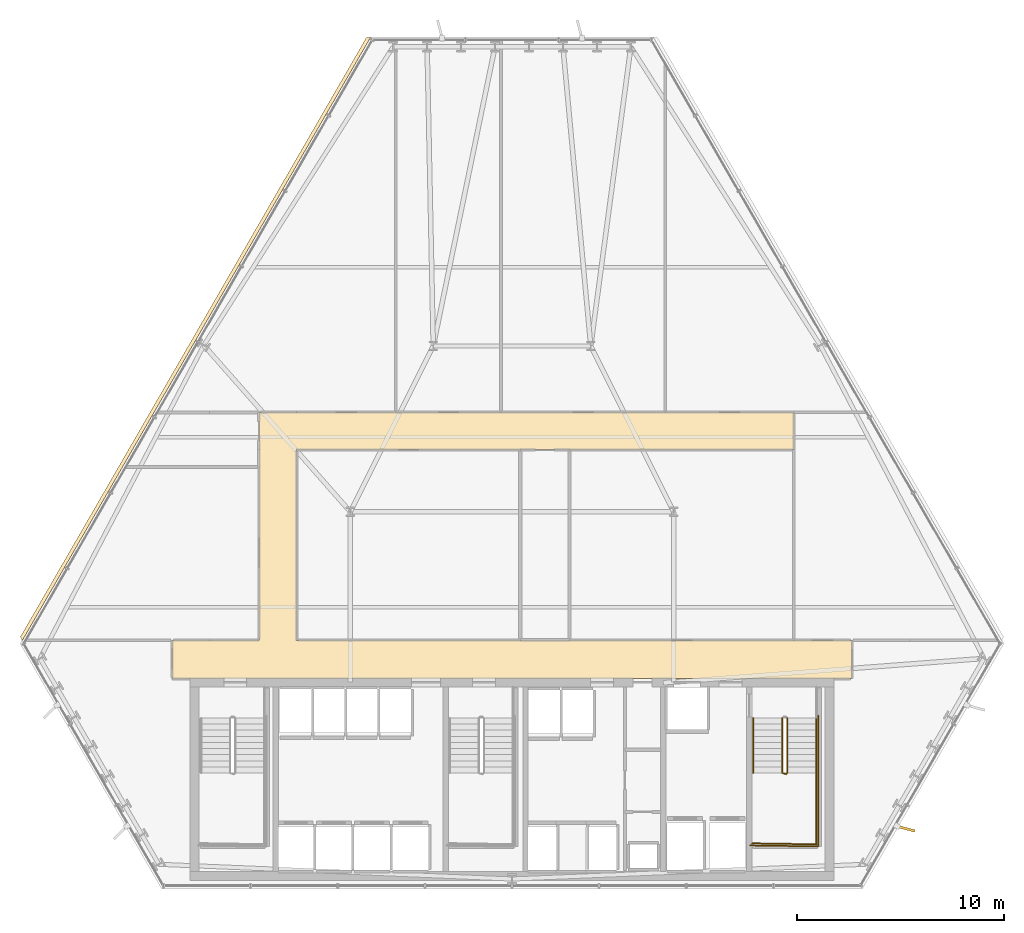
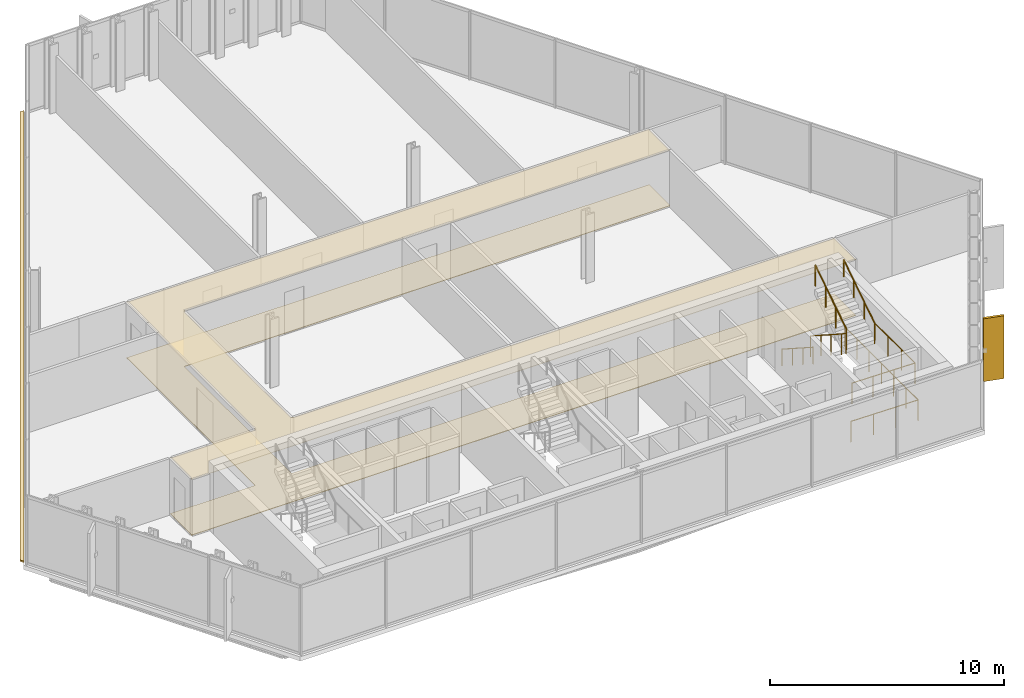
# One storey, part 29 of 31: 6 railings, 3 coverings, 1 shading device.
"""IFC4 building model written with IfcOpenShell, lengths in metres."""

from ifc_helpers import new_model, si_unit, direction, frame, origin, origin_2d, place, context, subcontext, project, spatial, polyline, rectangle, circle, outline, extrude, material, layer, layer_set, type_object, element, save


model = new_model("IFC4")

# Units and contexts
model_context = context("Model", 3, precision=1e-05, world=origin(), true_north=direction((0.0, 1.0)))
body_context = subcontext(model_context, "Body", "Model", "MODEL_VIEW")
ifc_project = project(units=[si_unit("LENGTHUNIT", "METRE"), si_unit("AREAUNIT", "SQUARE_METRE"), si_unit("VOLUMEUNIT", "CUBIC_METRE"), si_unit("PLANEANGLEUNIT", "RADIAN"), si_unit("MASSUNIT", "GRAM", prefix="KILO")], contexts=[model_context])

# Site, building, storey
site_placement = place(None, origin())
site = spatial("IfcSite", under=ifc_project, at=site_placement, CompositionType="ELEMENT")
building_placement = place(site_placement, origin())
building = spatial("IfcBuilding", under=site, at=building_placement, Name="Ndaravel Arena Tower", CompositionType="ELEMENT")
storey_placement = place(building_placement, frame((0.0, 0.0, 100.60009765625)))
storey = spatial("IfcBuildingStorey", under=building, at=storey_placement, Name="L23", CompositionType="ELEMENT", Elevation=100.60009765625)

# Coverings
ifc_material_1 = material(Name="Acoustic Ceiling Tile", Category="finish")
ifc_layer_1 = layer(ifc_material_1, 0.02490234375)
ifc_layer_set_1 = layer_set([ifc_layer_1], Name="Acoustic Ceiling Tile")
covering_type_1 = type_object("IfcCoveringType", Name="COV-CEIL-AC600", PredefinedType="CEILING", material=ifc_layer_set_1)
covering_1_placement = place(storey_placement, frame((0.0, 0.0, 2.919921875)))
element("IfcCovering", 1, at=covering_1_placement, inside=storey, type_object=covering_type_1, Name="L23 Corridor Acoustic Ceiling", PredefinedType="CEILING", context=body_context, shape_type="SweptSolid", body=[
    extrude(outline(polyline([(58.39990234375, 17.0), (31.60009765625, 17.0), (31.60009765625, 26.199951171875), (55.60009765625, 26.199951171875), (55.60009765625, 28.0), (31.60009765625, 28.0), (29.800048828125, 28.0), (29.800048828125, 26.199951171875), (29.800048828125, 17.0), (25.60009765625, 17.0), (25.60009765625, 15.14990234375), (58.39990234375, 15.14990234375), (58.39990234375, 17.0)])), origin(), (0.0, 0.0, 1.0), 0.02490234375),
])
ifc_material_2 = material(Name="Terrazzo", Category="stone")
ifc_layer_2 = layer(ifc_material_2, 0.030029296875)
ifc_layer_set_2 = layer_set([ifc_layer_2], Name="Terrazzo")
covering_type_2 = type_object("IfcCoveringType", Name="COV-FLOOR-TERRAZZO", PredefinedType="FLOORING", material=ifc_layer_set_2)
covering_2_placement = place(storey_placement, origin())
element("IfcCovering", 2, at=covering_2_placement, inside=storey, type_object=covering_type_2, Name="L23 Corridor Terrazzo Flooring", PredefinedType="FLOORING", context=body_context, shape_type="SweptSolid", body=[
    extrude(outline(polyline([(58.39990234375, 17.0), (31.60009765625, 17.0), (31.60009765625, 26.199951171875), (55.60009765625, 26.199951171875), (55.60009765625, 28.0), (31.60009765625, 28.0), (29.800048828125, 28.0), (29.800048828125, 26.199951171875), (29.800048828125, 17.0), (25.60009765625, 17.0), (25.60009765625, 15.14990234375), (58.39990234375, 15.14990234375), (58.39990234375, 17.0)])), origin(), (0.0, 0.0, 1.0), 0.02978515625),
])
ifc_material_3 = material(Name="Roofing Membrane", Category="finish")
ifc_layer_3 = layer(ifc_material_3, 0.080078125)
ifc_layer_set_3 = layer_set([ifc_layer_3], Name="Roofing Membrane")
covering_type_3 = type_object("IfcCoveringType", Name="COV-ROOF-MEMB", PredefinedType="ROOFING", material=ifc_layer_set_3)
covering_3_placement = place(storey_placement, origin())
element("IfcCovering", 3, at=covering_3_placement, inside=storey, type_object=covering_type_3, Name="L23 Facet Setback Weathering Flashing", PredefinedType="ROOFING", context=body_context, shape_type="SweptSolid", body=[
    extrude(outline(polyline([(18.2744140625, 17.16064453125), (34.97900390625, 46.093994140625), (35.1748046875, 46.093994140625), (18.372314453125, 16.990966796875), (18.2744140625, 17.16064453125)])), origin(), (0.0, 0.0, 1.0), 0.079833984375),
])

# Railings
ifc_material_4 = material(Name="Steel S355", Category="steel")
ifc_layer_4 = layer(ifc_material_4, 0.06005859375)
ifc_layer_set_4 = layer_set([ifc_layer_4], Name="Steel S355")
railing_type_1 = type_object("IfcRailingType", Name="RAIL-STAIR-GD1100", PredefinedType="GUARDRAIL", material=ifc_layer_set_4)
railing_1_placement = place(storey_placement, frame((55.050048828125, 13.25, 0.18994140625)))
element("IfcRailing", 4, at=railing_1_placement, inside=storey, type_object=railing_type_1, Name="L23 ST-3 stair guard 1", PredefinedType="GUARDRAIL", context=body_context, shape_type="SweptSolid", body=[
    extrude(circle(Radius=0.02392578125, at=origin_2d()), frame((0.0, 0.0, 1.076171875), z_axis=(0.0, -0.840723540582, 0.54146461409), x_axis=(1.0, 0.0, 0.0)), (0.0, 0.0, 1.0), 3.157958984375),
    extrude(circle(Radius=0.02392578125, at=origin_2d()), frame((0.0, -2.655029296875, 2.7861328125), z_axis=(0.966993988697, -0.254799187253, 0.0), x_axis=(0.254799187253, 0.966993988697, 0.0)), (0.0, 0.0, 1.0), 0.196533203125),
    extrude(circle(Radius=0.02099609375, at=origin_2d()), origin(), (0.0, 0.0, 1.0), 1.052001953125),
    extrude(circle(Radius=0.02099609375, at=origin_2d()), frame((0.0, -0.885009765625, 0.570068359375)), (0.0, 0.0, 1.0), 1.052001953125),
    extrude(circle(Radius=0.02099609375, at=origin_2d()), frame((0.0, -1.77001953125, 1.139892578125)), (0.0, 0.0, 1.0), 1.052001953125),
    extrude(circle(Radius=0.02099609375, at=origin_2d()), frame((0.0, -2.655029296875, 1.7099609375)), (0.0, 0.0, 1.0), 1.052001953125),
    extrude(circle(Radius=0.02099609375, at=origin_2d()), frame((0.18994140625, -2.705078125, 1.7099609375)), (0.0, 0.0, 1.0), 1.052001953125),
])
railing_2_placement = place(storey_placement, frame((56.68994140625, 10.594970703125, 1.89990234375)))
element("IfcRailing", 5, at=railing_2_placement, inside=storey, type_object=railing_type_1, Name="L23 ST-3 stair guard 2", PredefinedType="GUARDRAIL", context=body_context, shape_type="SweptSolid", body=[
    extrude(circle(Radius=0.02392578125, at=origin_2d()), frame((0.0, 0.0, 1.076171875), z_axis=(0.0, -1.0, 0.0), x_axis=(1.0, 0.0, 0.0)), (0.0, 0.0, 1.0), 3.445068359375),
    extrude(circle(Radius=0.02392578125, at=origin_2d()), frame((0.0, -3.445068359375, 1.076171875), z_axis=(-0.999868840623, 0.016195726322, 0.0), x_axis=(-0.016195726322, -0.999868840623, 0.0)), (0.0, 0.0, 1.0), 3.09033203125),
    extrude(circle(Radius=0.02099609375, at=origin_2d()), origin(), (0.0, 0.0, 1.0), 1.052001953125),
    extrude(circle(Radius=0.02099609375, at=origin_2d()), frame((0.0, -1.1484375, 0.0)), (0.0, 0.0, 1.0), 1.052001953125),
    extrude(circle(Radius=0.02099609375, at=origin_2d()), frame((0.0, -2.296630859375, 0.0)), (0.0, 0.0, 1.0), 1.052001953125),
    extrude(circle(Radius=0.02099609375, at=origin_2d()), frame((0.0, -3.445068359375, 0.0)), (0.0, 0.0, 1.0), 1.052001953125),
    extrude(circle(Radius=0.02099609375, at=origin_2d()), frame((-1.030029296875, -3.428466796875, 0.0)), (0.0, 0.0, 1.0), 1.052001953125),
    extrude(circle(Radius=0.02099609375, at=origin_2d()), frame((-2.059814453125, -3.41162109375, 0.0)), (0.0, 0.0, 1.0), 1.052001953125),
    extrude(circle(Radius=0.02099609375, at=origin_2d()), frame((-3.08984375, -3.39501953125, 0.0)), (0.0, 0.0, 1.0), 1.052001953125),
])
railing_3_placement = place(storey_placement, frame((55.2900390625, 10.594970703125, 2.08984375)))
element("IfcRailing", 6, at=railing_3_placement, inside=storey, type_object=railing_type_1, Name="L23 ST-3 stair guard 3", PredefinedType="GUARDRAIL", context=body_context, shape_type="SweptSolid", body=[
    extrude(circle(Radius=0.02392578125, at=origin_2d()), frame((0.0, 0.0, 1.076171875), z_axis=(0.0, 0.840723540582, 0.54146461409), x_axis=(-1.0, 0.0, 0.0)), (0.0, 0.0, 1.0), 3.157958984375),
    extrude(circle(Radius=0.02099609375, at=origin_2d()), origin(), (0.0, 0.0, 1.0), 1.052001953125),
    extrude(circle(Radius=0.02099609375, at=origin_2d()), frame((0.0, 0.885009765625, 0.570068359375)), (0.0, 0.0, 1.0), 1.052001953125),
    extrude(circle(Radius=0.02099609375, at=origin_2d()), frame((0.0, 1.77001953125, 1.139892578125)), (0.0, 0.0, 1.0), 1.052001953125),
    extrude(circle(Radius=0.02099609375, at=origin_2d()), frame((0.0, 2.655029296875, 1.7099609375)), (0.0, 0.0, 1.0), 1.052001953125),
])
railing_4_placement = place(storey_placement, frame((56.7900390625, 13.35009765625, 0.0)))
element("IfcRailing", 7, at=railing_4_placement, inside=storey, type_object=railing_type_1, Name="L23 ST-3 stair guard 6", PredefinedType="GUARDRAIL", context=body_context, shape_type="SweptSolid", body=[
    extrude(circle(Radius=0.02392578125, at=origin_2d()), frame((0.0, 0.0, 1.076171875), z_axis=(0.0, -1.0, 0.0), x_axis=(1.0, 0.0, 0.0)), (0.0, 0.0, 1.0), 6.300048828125),
    extrude(circle(Radius=0.02392578125, at=origin_2d()), frame((0.0, -6.300048828125, 1.076171875), z_axis=(-0.99988431412, 0.015210469308, 0.0), x_axis=(-0.015210469308, -0.99988431412, 0.0)), (0.0, 0.0, 1.0), 3.29052734375),
    extrude(circle(Radius=0.02099609375, at=origin_2d()), origin(), (0.0, 0.0, 1.0), 1.052001953125),
    extrude(circle(Radius=0.02099609375, at=origin_2d()), frame((0.0, -1.050048828125, 0.0)), (0.0, 0.0, 1.0), 1.052001953125),
    extrude(circle(Radius=0.02099609375, at=origin_2d()), frame((0.0, -2.10009765625, 0.0)), (0.0, 0.0, 1.0), 1.052001953125),
    extrude(circle(Radius=0.02099609375, at=origin_2d()), frame((0.0, -3.14990234375, 0.0)), (0.0, 0.0, 1.0), 1.052001953125),
    extrude(circle(Radius=0.02099609375, at=origin_2d()), frame((0.0, -4.199951171875, 0.0)), (0.0, 0.0, 1.0), 1.052001953125),
    extrude(circle(Radius=0.02099609375, at=origin_2d()), frame((0.0, -5.25, 0.0)), (0.0, 0.0, 1.0), 1.052001953125),
    extrude(circle(Radius=0.02099609375, at=origin_2d()), frame((0.0, -6.300048828125, 0.0)), (0.0, 0.0, 1.0), 1.052001953125),
    extrude(circle(Radius=0.02099609375, at=origin_2d()), frame((-1.0966796875, -6.283447265625, 0.0)), (0.0, 0.0, 1.0), 1.052001953125),
    extrude(circle(Radius=0.02099609375, at=origin_2d()), frame((-2.193359375, -6.2666015625, 0.0)), (0.0, 0.0, 1.0), 1.052001953125),
    extrude(circle(Radius=0.02099609375, at=origin_2d()), frame((-3.2900390625, -6.25, 0.0)), (0.0, 0.0, 1.0), 1.052001953125),
])
ifc_material_5 = material(Name="Steel S355", Category="steel")
ifc_layer_5 = layer(ifc_material_5, 0.050048828125)
ifc_layer_set_5 = layer_set([ifc_layer_5], Name="Steel S355")
railing_type_2 = type_object("IfcRailingType", Name="RAIL-STAIR-HR920", PredefinedType="HANDRAIL", material=ifc_layer_set_5)
railing_5_placement = place(storey_placement, frame((53.64990234375, 13.25, 0.18994140625)))
element("IfcRailing", 8, at=railing_5_placement, inside=storey, type_object=railing_type_2, Name="L23 ST-3 stair handrail 1", PredefinedType="HANDRAIL", context=body_context, shape_type="SweptSolid", body=[
    extrude(circle(Radius=0.02392578125, at=origin_2d()), frame((0.0, 0.0, 0.8759765625), z_axis=(0.0, -0.840723540582, 0.54146461409), x_axis=(1.0, 0.0, 0.0)), (0.0, 0.0, 1.0), 3.157958984375),
    extrude(circle(Radius=0.02099609375, at=origin_2d()), origin(), (0.0, 0.0, 1.0), 0.851806640625),
    extrude(circle(Radius=0.02099609375, at=origin_2d()), frame((0.0, -0.885009765625, 0.570068359375)), (0.0, 0.0, 1.0), 0.851806640625),
    extrude(circle(Radius=0.02099609375, at=origin_2d()), frame((0.0, -1.77001953125, 1.139892578125)), (0.0, 0.0, 1.0), 0.851806640625),
    extrude(circle(Radius=0.02099609375, at=origin_2d()), frame((0.0, -2.655029296875, 1.7099609375)), (0.0, 0.0, 1.0), 0.851806640625),
])
railing_6_placement = place(storey_placement, frame((56.68994140625, 10.594970703125, 2.08984375)))
element("IfcRailing", 9, at=railing_6_placement, inside=storey, type_object=railing_type_2, Name="L23 ST-3 stair handrail 2", PredefinedType="HANDRAIL", context=body_context, shape_type="SweptSolid", body=[
    extrude(circle(Radius=0.02392578125, at=origin_2d()), frame((0.0, 0.0, 0.8759765625), z_axis=(0.0, 0.840723540582, 0.54146461409), x_axis=(-1.0, 0.0, 0.0)), (0.0, 0.0, 1.0), 3.157958984375),
    extrude(circle(Radius=0.02099609375, at=origin_2d()), origin(), (0.0, 0.0, 1.0), 0.851806640625),
    extrude(circle(Radius=0.02099609375, at=origin_2d()), frame((0.0, 0.885009765625, 0.570068359375)), (0.0, 0.0, 1.0), 0.851806640625),
    extrude(circle(Radius=0.02099609375, at=origin_2d()), frame((0.0, 1.77001953125, 1.139892578125)), (0.0, 0.0, 1.0), 0.851806640625),
    extrude(circle(Radius=0.02099609375, at=origin_2d()), frame((0.0, 2.655029296875, 1.7099609375)), (0.0, 0.0, 1.0), 0.851806640625),
])

# Shading device
ifc_material_6 = material(Name="Masonry", Category="masonry")
shading_device_type = type_object("IfcShadingDeviceType", Name="SHD-MAZERAS-FIN", PredefinedType="SHUTTER", material=ifc_material_6)
shading_device_placement = place(storey_placement, frame((61.006591796875, 7.910888671875, 0.14990234375), z_axis=(0.0, 0.0, 1.0), x_axis=(0.965925826289, -0.258819045103, 0.0)))
element("IfcShadingDevice", 10, at=shading_device_placement, inside=storey, type_object=shading_device_type, Name="L23 Mazeras Stone Solar Fin E2.1", PredefinedType="SHUTTER", context=body_context, shape_type="SweptSolid", body=[
    extrude(rectangle(XDim=0.89990234375, YDim=0.1201171875, at=origin_2d()), origin(), (0.0, 0.0, 1.0), 3.280029296875),
])

save(model, "model.ifc")
